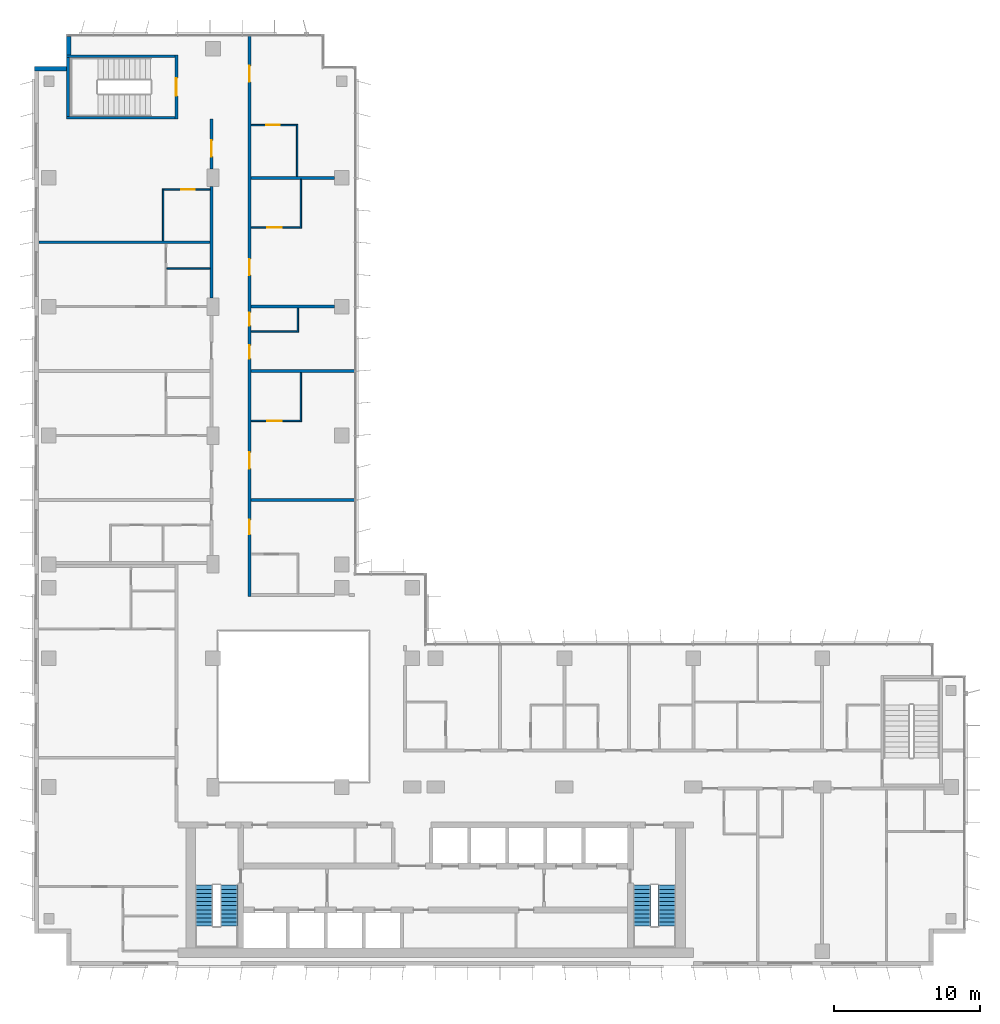
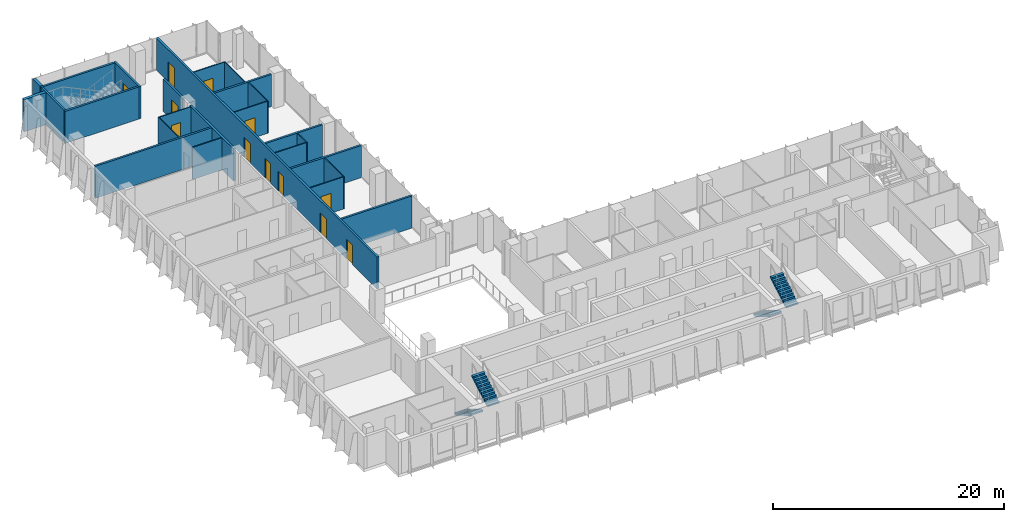
# One storey, part 17 of 21: 25 walls, 12 doors, 4 stair flights, 12 openings, 2 elements without a shape of their own.
"""IFC4 building model written with IfcOpenShell, lengths in metres."""

from ifc_helpers import new_model, si_unit, direction, frame, frame_2d, origin, place, context, subcontext, project, spatial, polyline, rectangle, outline, extrude, material, layer, layer_set, type_object, element, fill, aggregate, save


model = new_model("IFC4")

# Units and contexts
model_context = context("Model", 3, precision=1e-05, world=origin(), true_north=direction((0.0, 1.0)))
body_context = subcontext(model_context, "Body", "Model", "MODEL_VIEW")
ifc_project = project(units=[si_unit("LENGTHUNIT", "METRE"), si_unit("AREAUNIT", "SQUARE_METRE"), si_unit("VOLUMEUNIT", "CUBIC_METRE"), si_unit("PLANEANGLEUNIT", "RADIAN"), si_unit("MASSUNIT", "GRAM", prefix="KILO")], contexts=[model_context])

# Site, building, storey
site_placement = place(None, origin())
site = spatial("IfcSite", under=ifc_project, at=site_placement, CompositionType="ELEMENT")
building_placement = place(site_placement, origin())
building = spatial("IfcBuilding", under=site, at=building_placement, Name="Kemantara Hotel Tower", CompositionType="ELEMENT")
storey_placement = place(building_placement, frame((0.0, 0.0, 211.699951171875)))
storey = spatial("IfcBuildingStorey", under=building, at=storey_placement, Name="L52", CompositionType="ELEMENT", Elevation=211.699951171875)

# Walls
ifc_material_1 = material(Name="Bronze anodised aluminium cladding on insulated steel stud wall", Category="steel")
ifc_layer_1 = layer(ifc_material_1, 0.300048828125)
ifc_layer_set_1 = layer_set([ifc_layer_1], Name="Bronze anodised aluminium cladding on insulated steel stud wall")
wall_type_1 = type_object("IfcWallType", Name="BRONZE METAL-CLAD EXTERNAL WALL 300", PredefinedType="STANDARD", material=ifc_layer_set_1)
wall_1_placement = place(storey_placement, frame((2.35009765625, 63.449951171875, 0.0), z_axis=(0.0, 0.0, 1.0), x_axis=(0.0, -1.0, 0.0)))
element("IfcWall", 1, at=wall_1_placement, inside=storey, type_object=wall_type_1, Name="EXTERNAL WALL L52 T3-R03", PredefinedType="STANDARD", context=body_context, shape_type="SweptSolid", body=[
    extrude(rectangle(XDim=1.25, YDim=0.300048828125, at=frame_2d((0.625, 0.0))), origin(), (0.0, 0.0, 1.0), 3.400146484375),
])
wall_2_placement = place(storey_placement, frame((2.199951171875, 61.25, 0.0), z_axis=(0.0, 0.0, 1.0), x_axis=(-1.0, 0.0, 0.0)))
element("IfcWall", 2, at=wall_2_placement, inside=storey, type_object=wall_type_1, Name="EXTERNAL WALL L52 T3-R04", PredefinedType="STANDARD", context=body_context, shape_type="SweptSolid", body=[
    extrude(rectangle(XDim=2.199951171875, YDim=0.300048828125, at=frame_2d((1.10009765625, 0.0))), origin(), (0.0, 0.0, 1.0), 3.400146484375),
])
ifc_material_2 = material(Name="Gypsum board partition, steel studs and mineral wool, 200 mm", Category="steel")
ifc_layer_2 = layer(ifc_material_2, 0.199951171875)
ifc_layer_set_2 = layer_set([ifc_layer_2], Name="Gypsum board partition, steel studs and mineral wool, 200 mm")
wall_type_2 = type_object("IfcWallType", Name="CORRIDOR WALL 200", PredefinedType="PARTITIONING", material=ifc_layer_set_2)
wall_3_placement = place(storey_placement, frame((12.10009765625, 45.60009765625, 0.0), z_axis=(0.0, 0.0, 1.0), x_axis=(0.0, 1.0, 0.0)))
element("IfcWall", 3, at=wall_3_placement, inside=storey, type_object=wall_type_2, Name="CORRIDOR WALL 200 019", PredefinedType="PARTITIONING", context=body_context, shape_type="SweptSolid", body=[
    extrude(rectangle(XDim=7.599853515625, YDim=0.199951171875, at=frame_2d((3.7998046875, 0.0))), origin(), (0.0, 0.0, 1.0), 3.400146484375),
])

# Wall, opening, door
wall_4_placement = place(storey_placement, frame((12.10009765625, 54.400146484375, 0.0), z_axis=(0.0, 0.0, 1.0), x_axis=(0.0, 1.0, 0.0)))
wall_4 = element("IfcWall", 4, at=wall_4_placement, inside=storey, type_object=wall_type_2, Name="CORRIDOR WALL 200 020", PredefinedType="PARTITIONING", context=body_context, shape_type="SweptSolid", body=[
    extrude(rectangle(XDim=3.39990234375, YDim=0.199951171875, at=frame_2d((1.699951171875, 0.0))), origin(), (0.0, 0.0, 1.0), 3.400146484375),
])
opening_1_placement = place(wall_4_placement, frame((0.849853515625, 0.0, 0.0)))
opening_1 = element("IfcOpeningElement", 5, at=opening_1_placement, cuts=wall_4, Name="Opening F25-042", PredefinedType="OPENING", context=body_context, shape_type="SweptSolid", body=[
    extrude(rectangle(XDim=1.10009765625, YDim=2.10009765625, at=frame_2d((0.550048828125, 1.050048828125))), frame((0.0, 0.10986328125, 0.0), z_axis=(0.0, -1.0, 0.0), x_axis=(1.0, 0.0, 0.0)), (0.0, 0.0, 1.0), 0.219970703125),
])
ifc_material_3 = material(Name="Hardwood veneer door leaf with steel frame", Category="steel")
door_type_1 = type_object("IfcDoorType", Name="SUITE ENTRANCE DOOR 1100 X 2100 FD30S", OperationType="NOTDEFINED", PredefinedType="DOOR", material=ifc_material_3)
door_1_placement = place(opening_1_placement, origin())
door_1 = element("IfcDoor", 6, at=door_1_placement, inside=storey, type_object=door_type_1, Name="SUITE ENTRANCE DOOR F25-042", OperationType="SINGLE_SWING_RIGHT", OverallHeight=2.10009765625, OverallWidth=1.10009765625, PredefinedType="DOOR", context=body_context, shape_type="SweptSolid", body=[
    extrude(rectangle(XDim=1.10009765625, YDim=2.10009765625, at=frame_2d((0.550048828125, 1.050048828125))), frame((0.0, 0.02490234375, 0.0), z_axis=(0.0, -1.0, 0.0), x_axis=(1.0, 0.0, 0.0)), (0.0, 0.0, 1.0), 0.050048828125),
])
fill(opening_1, door_1)

# Wall, openings, doors
wall_5_placement = place(storey_placement, frame((14.699951171875, 63.47998046875, 0.0), z_axis=(0.0, 0.0, 1.0), x_axis=(0.0, -1.0, 0.0)))
wall_5 = element("IfcWall", 7, at=wall_5_placement, inside=storey, type_object=wall_type_2, Name="CORRIDOR WALL 200 027", PredefinedType="PARTITIONING", context=body_context, shape_type="SweptSolid", body=[
    extrude(rectangle(XDim=38.280029296875, YDim=0.199951171875, at=frame_2d((19.14013671875, 0.0))), origin(), (0.0, 0.0, 1.0), 3.400146484375),
])
opening_2_placement = place(wall_5_placement, frame((33.02978515625, 0.0, 0.0)))
opening_2 = element("IfcOpeningElement", 8, at=opening_2_placement, cuts=wall_5, Name="Opening F25-044", PredefinedType="OPENING", context=body_context, shape_type="SweptSolid", body=[
    extrude(rectangle(XDim=1.0, YDim=2.10009765625, at=frame_2d((0.5, 1.050048828125))), frame((0.0, 0.10986328125, 0.0), z_axis=(0.0, -1.0, 0.0), x_axis=(1.0, 0.0, 0.0)), (0.0, 0.0, 1.0), 0.219970703125),
])
opening_3_placement = place(wall_5_placement, frame((28.429931640625, 0.0, 0.0)))
opening_3 = element("IfcOpeningElement", 9, at=opening_3_placement, cuts=wall_5, Name="Opening F25-046", PredefinedType="OPENING", context=body_context, shape_type="SweptSolid", body=[
    extrude(rectangle(XDim=1.10009765625, YDim=2.10009765625, at=frame_2d((0.550048828125, 1.050048828125))), frame((0.0, 0.10986328125, 0.0), z_axis=(0.0, -1.0, 0.0), x_axis=(1.0, 0.0, 0.0)), (0.0, 0.0, 1.0), 0.219970703125),
])
opening_4_placement = place(wall_5_placement, frame((21.1298828125, 0.0, 0.0)))
opening_4 = element("IfcOpeningElement", 10, at=opening_4_placement, cuts=wall_5, Name="Opening F25-048", PredefinedType="OPENING", context=body_context, shape_type="SweptSolid", body=[
    extrude(rectangle(XDim=0.89990234375, YDim=2.10009765625, at=frame_2d((0.449951171875, 1.050048828125))), frame((0.0, 0.10986328125, 0.0), z_axis=(0.0, -1.0, 0.0), x_axis=(1.0, 0.0, 0.0)), (0.0, 0.0, 1.0), 0.219970703125),
])
opening_5_placement = place(wall_5_placement, frame((18.8798828125, 0.0, 0.0)))
opening_5 = element("IfcOpeningElement", 11, at=opening_5_placement, cuts=wall_5, Name="Opening F25-049", PredefinedType="OPENING", context=body_context, shape_type="SweptSolid", body=[
    extrude(rectangle(XDim=0.89990234375, YDim=2.10009765625, at=frame_2d((0.449951171875, 1.050048828125))), frame((0.0, 0.10986328125, 0.0), z_axis=(0.0, -1.0, 0.0), x_axis=(1.0, 0.0, 0.0)), (0.0, 0.0, 1.0), 0.219970703125),
])
opening_6_placement = place(wall_5_placement, frame((15.22998046875, 0.0, 0.0)))
opening_6 = element("IfcOpeningElement", 12, at=opening_6_placement, cuts=wall_5, Name="Opening F25-050", PredefinedType="OPENING", context=body_context, shape_type="SweptSolid", body=[
    extrude(rectangle(XDim=1.10009765625, YDim=2.10009765625, at=frame_2d((0.550048828125, 1.050048828125))), frame((0.0, 0.10986328125, 0.0), z_axis=(0.0, -1.0, 0.0), x_axis=(1.0, 0.0, 0.0)), (0.0, 0.0, 1.0), 0.219970703125),
])
opening_7_placement = place(wall_5_placement, frame((2.02978515625, 0.0, 0.0)))
opening_7 = element("IfcOpeningElement", 13, at=opening_7_placement, cuts=wall_5, Name="Opening F25-052", PredefinedType="OPENING", context=body_context, shape_type="SweptSolid", body=[
    extrude(rectangle(XDim=1.10009765625, YDim=2.10009765625, at=frame_2d((0.550048828125, 1.050048828125))), frame((0.0, 0.10986328125, 0.0), z_axis=(0.0, -1.0, 0.0), x_axis=(1.0, 0.0, 0.0)), (0.0, 0.0, 1.0), 0.219970703125),
])
door_type_2 = type_object("IfcDoorType", Name="GUEST ROOM DOOR 1000 X 2100 FD30S", OperationType="NOTDEFINED", PredefinedType="DOOR", material=ifc_material_3)
door_2_placement = place(opening_2_placement, origin())
door_2 = element("IfcDoor", 14, at=door_2_placement, inside=storey, type_object=door_type_2, Name="GUEST ROOM DOOR F25-044", OperationType="SINGLE_SWING_LEFT", OverallHeight=2.10009765625, OverallWidth=1.0, PredefinedType="DOOR", context=body_context, shape_type="SweptSolid", body=[
    extrude(rectangle(XDim=1.0, YDim=2.10009765625, at=frame_2d((0.5, 1.050048828125))), frame((0.0, 0.02490234375, 0.0), z_axis=(0.0, -1.0, 0.0), x_axis=(1.0, 0.0, 0.0)), (0.0, 0.0, 1.0), 0.050048828125),
])
fill(opening_2, door_2)
door_type_3 = type_object("IfcDoorType", Name="GUEST ROOM DOOR 1100 X 2100 FD30S", OperationType="NOTDEFINED", PredefinedType="DOOR", material=ifc_material_3)
door_3_placement = place(opening_3_placement, origin())
door_3 = element("IfcDoor", 15, at=door_3_placement, inside=storey, type_object=door_type_3, Name="GUEST ROOM DOOR F25-046", OperationType="SINGLE_SWING_RIGHT", OverallHeight=2.10009765625, OverallWidth=1.10009765625, PredefinedType="DOOR", context=body_context, shape_type="SweptSolid", body=[
    extrude(rectangle(XDim=1.10009765625, YDim=2.10009765625, at=frame_2d((0.550048828125, 1.050048828125))), frame((0.0, 0.02490234375, 0.0), z_axis=(0.0, -1.0, 0.0), x_axis=(1.0, 0.0, 0.0)), (0.0, 0.0, 1.0), 0.050048828125),
])
fill(opening_3, door_3)
door_4_placement = place(opening_6_placement, origin())
door_4 = element("IfcDoor", 16, at=door_4_placement, inside=storey, type_object=door_type_3, Name="GUEST ROOM DOOR F25-050", OperationType="SINGLE_SWING_RIGHT", OverallHeight=2.10009765625, OverallWidth=1.10009765625, PredefinedType="DOOR", context=body_context, shape_type="SweptSolid", body=[
    extrude(rectangle(XDim=1.10009765625, YDim=2.10009765625, at=frame_2d((0.550048828125, 1.050048828125))), frame((0.0, 0.02490234375, 0.0), z_axis=(0.0, -1.0, 0.0), x_axis=(1.0, 0.0, 0.0)), (0.0, 0.0, 1.0), 0.050048828125),
])
fill(opening_6, door_4)
ifc_material_4 = material(Name="Steel door leaf with steel frame", Category="steel")
door_type_4 = type_object("IfcDoorType", Name="SERVICE ROOM DOOR 900 X 2100 FD60", OperationType="NOTDEFINED", PredefinedType="DOOR", material=ifc_material_4)
door_5_placement = place(opening_4_placement, origin())
door_5 = element("IfcDoor", 17, at=door_5_placement, inside=storey, type_object=door_type_4, Name="SERVICE ROOM DOOR F25-048", OperationType="SINGLE_SWING_RIGHT", OverallHeight=2.10009765625, OverallWidth=0.89990234375, PredefinedType="DOOR", context=body_context, shape_type="SweptSolid", body=[
    extrude(rectangle(XDim=0.89990234375, YDim=2.10009765625, at=frame_2d((0.449951171875, 1.050048828125))), frame((0.0, 0.02490234375, 0.0), z_axis=(0.0, -1.0, 0.0), x_axis=(1.0, 0.0, 0.0)), (0.0, 0.0, 1.0), 0.050048828125),
])
fill(opening_4, door_5)
door_6_placement = place(opening_5_placement, origin())
door_6 = element("IfcDoor", 18, at=door_6_placement, inside=storey, type_object=door_type_4, Name="SERVICE ROOM DOOR F25-049", OperationType="SINGLE_SWING_LEFT", OverallHeight=2.10009765625, OverallWidth=0.89990234375, PredefinedType="DOOR", context=body_context, shape_type="SweptSolid", body=[
    extrude(rectangle(XDim=0.89990234375, YDim=2.10009765625, at=frame_2d((0.449951171875, 1.050048828125))), frame((0.0, 0.02490234375, 0.0), z_axis=(0.0, -1.0, 0.0), x_axis=(1.0, 0.0, 0.0)), (0.0, 0.0, 1.0), 0.050048828125),
])
fill(opening_5, door_6)
door_7_placement = place(opening_7_placement, origin())
door_7 = element("IfcDoor", 19, at=door_7_placement, inside=storey, type_object=door_type_1, Name="SUITE ENTRANCE DOOR F25-052", OperationType="SINGLE_SWING_LEFT", OverallHeight=2.10009765625, OverallWidth=1.10009765625, PredefinedType="DOOR", context=body_context, shape_type="SweptSolid", body=[
    extrude(rectangle(XDim=1.10009765625, YDim=2.10009765625, at=frame_2d((0.550048828125, 1.050048828125))), frame((0.0, 0.02490234375, 0.0), z_axis=(0.0, -1.0, 0.0), x_axis=(1.0, 0.0, 0.0)), (0.0, 0.0, 1.0), 0.050048828125),
])
fill(opening_7, door_7)

# Wall, opening, door
ifc_material_5 = material(Name="Concrete fc 40 MPa", Category="concrete")
ifc_layer_3 = layer(ifc_material_5, 0.199951171875)
ifc_layer_set_3 = layer_set([ifc_layer_3], Name="Concrete fc 40 MPa")
wall_type_3 = type_object("IfcWallType", Name="Concrete stair wall 200 mm", PredefinedType="SHEAR", material=ifc_layer_set_3)
wall_6_placement = place(storey_placement, frame((9.699951171875, 57.800048828125, 0.0), z_axis=(0.0, 0.0, 1.0), x_axis=(0.0, 1.0, 0.0)))
wall_6 = element("IfcWall", 20, at=wall_6_placement, inside=storey, type_object=wall_type_3, Name="Stair ST4 enclosure wall with door", PredefinedType="SHEAR", context=body_context, shape_type="SweptSolid", body=[
    extrude(rectangle(XDim=4.39990234375, YDim=0.199951171875, at=frame_2d((2.199951171875, 0.0))), origin(), (0.0, 0.0, 1.0), 3.400146484375),
])
opening_8_placement = place(wall_6_placement, frame((1.60009765625, 0.0, 0.0)))
opening_8 = element("IfcOpeningElement", 21, at=opening_8_placement, cuts=wall_6, Name="Opening ST4-C", PredefinedType="OPENING", context=body_context, shape_type="SweptSolid", body=[
    extrude(rectangle(XDim=1.199951171875, YDim=2.10009765625, at=frame_2d((0.60009765625, 1.050048828125))), frame((0.0, 0.10986328125, 0.0), z_axis=(0.0, -1.0, 0.0), x_axis=(1.0, 0.0, 0.0)), (0.0, 0.0, 1.0), 0.219970703125),
])
ifc_material_6 = material(Name="Steel fire door", Category="steel")
door_type_5 = type_object("IfcDoorType", Name="Fire door FD90 1200 x 2100", OperationType="NOTDEFINED", PredefinedType="DOOR", material=ifc_material_6)
door_8_placement = place(opening_8_placement, origin())
door_8 = element("IfcDoor", 22, at=door_8_placement, inside=storey, type_object=door_type_5, Name="Stair ST4 door", OperationType="SINGLE_SWING_RIGHT", OverallHeight=2.10009765625, OverallWidth=1.199951171875, PredefinedType="DOOR", context=body_context, shape_type="SweptSolid", body=[
    extrude(rectangle(XDim=1.199951171875, YDim=2.10009765625, at=frame_2d((0.60009765625, 1.050048828125))), frame((0.0, 0.02490234375, 0.0), z_axis=(0.0, -1.0, 0.0), x_axis=(1.0, 0.0, 0.0)), (0.0, 0.0, 1.0), 0.050048828125),
])
fill(opening_8, door_8)

# Walls
for number, where, z_axis, x_axis, name in (
    (23, (2.199951171875, 62.10009765625, 0.0), (0.0, 0.0, 1.0), (1.0, 0.0, 0.0), "Stair ST4 enclosure wall N"),
    (24, (2.199951171875, 57.89990234375, 0.0), (0.0, 0.0, 1.0), (1.0, 0.0, 0.0), "Stair ST4 enclosure wall S"),
):
    element("IfcWall", number, at=place(storey_placement, frame(where, z_axis=z_axis, x_axis=x_axis)), inside=storey, type_object=wall_type_3, Name=name, PredefinedType="SHEAR", context=body_context, shape_type="SweptSolid", body=[
        extrude(rectangle(XDim=7.400146484375, YDim=0.199951171875, at=frame_2d((3.7001953125, 0.0))), origin(), (0.0, 0.0, 1.0), 3.400146484375),
    ])
wall_7_placement = place(storey_placement, frame((2.300048828125, 58.0, 0.0), z_axis=(0.0, 0.0, 1.0), x_axis=(0.0, 1.0, 0.0)))
element("IfcWall", 25, at=wall_7_placement, inside=storey, type_object=wall_type_3, Name="Stair ST4 enclosure wall W", PredefinedType="SHEAR", context=body_context, shape_type="SweptSolid", body=[
    extrude(rectangle(XDim=4.0, YDim=0.199951171875, at=frame_2d((2.0, 0.0))), origin(), (0.0, 0.0, 1.0), 3.400146484375),
])
ifc_layer_4 = layer(ifc_material_2, 0.199951171875)
ifc_layer_set_4 = layer_set([ifc_layer_4], Name="Gypsum board partition, steel studs and mineral wool, 200 mm")
wall_type_4 = type_object("IfcWallType", Name="GUEST ROOM PARTY WALL 200", PredefinedType="PARTITIONING", material=ifc_layer_set_4)
for number, where, z_axis, x_axis, name in (
    (26, (14.800048828125, 31.800048828125, 0.0), (0.0, 0.0, 1.0), (1.0, 0.0, 0.0), "GUEST ROOM PARTY WALL 200 023"),
    (27, (14.800048828125, 40.60009765625, 0.0), (0.0, 0.0, 1.0), (1.0, 0.0, 0.0), "GUEST ROOM PARTY WALL 200 025"),
):
    element("IfcWall", number, at=place(storey_placement, frame(where, z_axis=z_axis, x_axis=x_axis)), inside=storey, type_object=wall_type_4, Name=name, PredefinedType="PARTITIONING", context=body_context, shape_type="SweptSolid", body=[
        extrude(rectangle(XDim=7.070068359375, YDim=0.199951171875, at=frame_2d((3.53515625, 0.0))), origin(), (0.0, 0.0, 1.0), 3.400146484375),
    ])
wall_8_placement = place(storey_placement, frame((0.31005859375, 49.39990234375, 0.0), z_axis=(0.0, 0.0, 1.0), x_axis=(1.0, 0.0, 0.0)))
element("IfcWall", 28, at=wall_8_placement, inside=storey, type_object=wall_type_4, Name="GUEST ROOM PARTY WALL 200 026", PredefinedType="PARTITIONING", context=body_context, shape_type="SweptSolid", body=[
    extrude(rectangle(XDim=11.68994140625, YDim=0.199951171875, at=frame_2d((5.844970703125, 0.0))), origin(), (0.0, 0.0, 1.0), 3.400146484375),
])
for number, where, z_axis, x_axis, name in (
    (29, (14.800048828125, 45.0, 0.0), (0.0, 0.0, 1.0), (1.0, 0.0, 0.0), "GUEST ROOM PARTY WALL 200 030"),
    (30, (14.800048828125, 53.800048828125, 0.0), (0.0, 0.0, 1.0), (1.0, 0.0, 0.0), "GUEST ROOM PARTY WALL 200 031"),
):
    element("IfcWall", number, at=place(storey_placement, frame(where, z_axis=z_axis, x_axis=x_axis)), inside=storey, type_object=wall_type_4, Name=name, PredefinedType="PARTITIONING", context=body_context, shape_type="SweptSolid", body=[
        extrude(rectangle(XDim=5.699951171875, YDim=0.199951171875, at=frame_2d((2.85009765625, 0.0))), origin(), (0.0, 0.0, 1.0), 3.400146484375),
    ])
ifc_material_7 = material(Name="Gypsum board partition on steel studs, 100 mm", Category="steel")
ifc_layer_5 = layer(ifc_material_7, 0.10009765625)
ifc_layer_set_5 = layer_set([ifc_layer_5], Name="Gypsum board partition on steel studs, 100 mm")
wall_type_5 = type_object("IfcWallType", Name="ROOM PARTITION 100", PredefinedType="PARTITIONING", material=ifc_layer_set_5)
wall_9_placement = place(storey_placement, frame((8.800048828125, 49.5, 0.0), z_axis=(0.0, 0.0, 1.0), x_axis=(0.0, 1.0, 0.0)))
element("IfcWall", 31, at=wall_9_placement, inside=storey, type_object=wall_type_5, Name="ROOM PARTITION 100 061", PredefinedType="PARTITIONING", context=body_context, shape_type="SweptSolid", body=[
    extrude(rectangle(XDim=3.550048828125, YDim=0.10009765625, at=frame_2d((1.77490234375, 0.0))), origin(), (0.0, 0.0, 1.0), 3.400146484375),
])
wall_10_placement = place(storey_placement, frame((9.050048828125, 47.60009765625, 0.0), z_axis=(0.0, 0.0, 1.0), x_axis=(1.0, 0.0, 0.0)))
element("IfcWall", 32, at=wall_10_placement, inside=storey, type_object=wall_type_5, Name="ROOM PARTITION 100 068", PredefinedType="PARTITIONING", context=body_context, shape_type="SweptSolid", body=[
    extrude(rectangle(XDim=2.949951171875, YDim=0.10009765625, at=frame_2d((1.47509765625, 0.0))), origin(), (0.0, 0.0, 1.0), 3.400146484375),
])

# Wall, opening, door
wall_11_placement = place(storey_placement, frame((12.0, 53.0, 0.0), z_axis=(0.0, 0.0, 1.0), x_axis=(-1.0, 0.0, 0.0)))
wall_11 = element("IfcWall", 33, at=wall_11_placement, inside=storey, type_object=wall_type_5, Name="ROOM PARTITION 100 069", PredefinedType="PARTITIONING", context=body_context, shape_type="SweptSolid", body=[
    extrude(rectangle(XDim=3.14990234375, YDim=0.10009765625, at=frame_2d((1.574951171875, 0.0))), origin(), (0.0, 0.0, 1.0), 3.400146484375),
])
opening_9_placement = place(wall_11_placement, frame((1.050048828125, 0.0, 0.0)))
opening_9 = element("IfcOpeningElement", 34, at=opening_9_placement, cuts=wall_11, Name="Opening F25-043", PredefinedType="OPENING", context=body_context, shape_type="SweptSolid", body=[
    extrude(rectangle(XDim=0.89990234375, YDim=2.10009765625, at=frame_2d((0.449951171875, 1.050048828125))), frame((0.0, 0.06005859375, 0.0), z_axis=(0.0, -1.0, 0.0), x_axis=(1.0, 0.0, 0.0)), (0.0, 0.0, 1.0), 0.1201171875),
])
door_type_6 = type_object("IfcDoorType", Name="BATHROOM DOOR 900 X 2100", OperationType="NOTDEFINED", PredefinedType="DOOR", material=ifc_material_3)
door_9_placement = place(opening_9_placement, origin())
door_9 = element("IfcDoor", 35, at=door_9_placement, inside=storey, type_object=door_type_6, Name="BATHROOM DOOR F25-043", OperationType="SINGLE_SWING_LEFT", OverallHeight=2.10009765625, OverallWidth=0.89990234375, PredefinedType="DOOR", context=body_context, shape_type="SweptSolid", body=[
    extrude(rectangle(XDim=0.89990234375, YDim=2.10009765625, at=frame_2d((0.449951171875, 1.050048828125))), frame((0.0, 0.02490234375, 0.0), z_axis=(0.0, -1.0, 0.0), x_axis=(1.0, 0.0, 0.0)), (0.0, 0.0, 1.0), 0.050048828125),
])
fill(opening_9, door_9)

# Walls
wall_12_placement = place(storey_placement, frame((18.0, 43.25, 0.0), z_axis=(0.0, 0.0, 1.0), x_axis=(0.0, 1.0, 0.0)))
element("IfcWall", 36, at=wall_12_placement, inside=storey, type_object=wall_type_5, Name="ROOM PARTITION 100 071", PredefinedType="PARTITIONING", context=body_context, shape_type="SweptSolid", body=[
    extrude(rectangle(XDim=1.64990234375, YDim=0.10009765625, at=frame_2d((0.824951171875, 0.0))), origin(), (0.0, 0.0, 1.0), 3.400146484375),
])
wall_13_placement = place(storey_placement, frame((18.199951171875, 37.14990234375, 0.0), z_axis=(0.0, 0.0, 1.0), x_axis=(0.0, 1.0, 0.0)))
element("IfcWall", 37, at=wall_13_placement, inside=storey, type_object=wall_type_5, Name="ROOM PARTITION 100 073", PredefinedType="PARTITIONING", context=body_context, shape_type="SweptSolid", body=[
    extrude(rectangle(XDim=3.35009765625, YDim=0.10009765625, at=frame_2d((1.675048828125, 0.0))), origin(), (0.0, 0.0, 1.0), 3.400146484375),
])
wall_14_placement = place(storey_placement, frame((18.199951171875, 50.35009765625, 0.0), z_axis=(0.0, 0.0, 1.0), x_axis=(0.0, 1.0, 0.0)))
element("IfcWall", 38, at=wall_14_placement, inside=storey, type_object=wall_type_5, Name="ROOM PARTITION 100 074", PredefinedType="PARTITIONING", context=body_context, shape_type="SweptSolid", body=[
    extrude(rectangle(XDim=3.349853515625, YDim=0.10009765625, at=frame_2d((1.6748046875, 0.0))), origin(), (0.0, 0.0, 1.0), 3.400146484375),
])

# Wall, opening, door
wall_15_placement = place(storey_placement, frame((14.800048828125, 37.199951171875, 0.0), z_axis=(0.0, 0.0, 1.0), x_axis=(1.0, 0.0, 0.0)))
wall_15 = element("IfcWall", 39, at=wall_15_placement, inside=storey, type_object=wall_type_5, Name="ROOM PARTITION 100 075", PredefinedType="PARTITIONING", context=body_context, shape_type="SweptSolid", body=[
    extrude(rectangle(XDim=3.349853515625, YDim=0.10009765625, at=frame_2d((1.6748046875, 0.0))), origin(), (0.0, 0.0, 1.0), 3.400146484375),
])
opening_10_placement = place(wall_15_placement, frame((1.10009765625, 0.0, 0.0)))
opening_10 = element("IfcOpeningElement", 40, at=opening_10_placement, cuts=wall_15, Name="Opening F25-047", PredefinedType="OPENING", context=body_context, shape_type="SweptSolid", body=[
    extrude(rectangle(XDim=1.0, YDim=2.10009765625, at=frame_2d((0.5, 1.050048828125))), frame((0.0, 0.06005859375, 0.0), z_axis=(0.0, -1.0, 0.0), x_axis=(1.0, 0.0, 0.0)), (0.0, 0.0, 1.0), 0.1201171875),
])
door_type_7 = type_object("IfcDoorType", Name="BATHROOM DOOR 1000 X 2100", OperationType="NOTDEFINED", PredefinedType="DOOR", material=ifc_material_3)
door_10_placement = place(opening_10_placement, origin())
door_10 = element("IfcDoor", 41, at=door_10_placement, inside=storey, type_object=door_type_7, Name="BATHROOM DOOR F25-047", OperationType="SINGLE_SWING_LEFT", OverallHeight=2.10009765625, OverallWidth=1.0, PredefinedType="DOOR", context=body_context, shape_type="SweptSolid", body=[
    extrude(rectangle(XDim=1.0, YDim=2.10009765625, at=frame_2d((0.5, 1.050048828125))), frame((0.0, 0.02490234375, 0.0), z_axis=(0.0, -1.0, 0.0), x_axis=(1.0, 0.0, 0.0)), (0.0, 0.0, 1.0), 0.050048828125),
])
fill(opening_10, door_10)

# Wall
wall_16_placement = place(storey_placement, frame((14.800048828125, 43.300048828125, 0.0), z_axis=(0.0, 0.0, 1.0), x_axis=(1.0, 0.0, 0.0)))
element("IfcWall", 42, at=wall_16_placement, inside=storey, type_object=wall_type_5, Name="ROOM PARTITION 100 076", PredefinedType="PARTITIONING", context=body_context, shape_type="SweptSolid", body=[
    extrude(rectangle(XDim=3.14990234375, YDim=0.10009765625, at=frame_2d((1.574951171875, 0.0))), origin(), (0.0, 0.0, 1.0), 3.400146484375),
])

# Wall, opening, door
wall_17_placement = place(storey_placement, frame((14.800048828125, 50.39990234375, 0.0), z_axis=(0.0, 0.0, 1.0), x_axis=(1.0, 0.0, 0.0)))
wall_17 = element("IfcWall", 43, at=wall_17_placement, inside=storey, type_object=wall_type_5, Name="ROOM PARTITION 100 077", PredefinedType="PARTITIONING", context=body_context, shape_type="SweptSolid", body=[
    extrude(rectangle(XDim=3.349853515625, YDim=0.10009765625, at=frame_2d((1.6748046875, 0.0))), origin(), (0.0, 0.0, 1.0), 3.400146484375),
])
opening_11_placement = place(wall_17_placement, frame((1.10009765625, 0.0, 0.0)))
opening_11 = element("IfcOpeningElement", 44, at=opening_11_placement, cuts=wall_17, Name="Opening F25-051", PredefinedType="OPENING", context=body_context, shape_type="SweptSolid", body=[
    extrude(rectangle(XDim=1.0, YDim=2.10009765625, at=frame_2d((0.5, 1.050048828125))), frame((0.0, 0.06005859375, 0.0), z_axis=(0.0, -1.0, 0.0), x_axis=(1.0, 0.0, 0.0)), (0.0, 0.0, 1.0), 0.1201171875),
])
door_11_placement = place(opening_11_placement, origin())
door_11 = element("IfcDoor", 45, at=door_11_placement, inside=storey, type_object=door_type_7, Name="BATHROOM DOOR F25-051", OperationType="SINGLE_SWING_LEFT", OverallHeight=2.10009765625, OverallWidth=1.0, PredefinedType="DOOR", context=body_context, shape_type="SweptSolid", body=[
    extrude(rectangle(XDim=1.0, YDim=2.10009765625, at=frame_2d((0.5, 1.050048828125))), frame((0.0, 0.02490234375, 0.0), z_axis=(0.0, -1.0, 0.0), x_axis=(1.0, 0.0, 0.0)), (0.0, 0.0, 1.0), 0.050048828125),
])
fill(opening_11, door_11)

# Wall
wall_18_placement = place(storey_placement, frame((17.949951171875, 53.89990234375, 0.0), z_axis=(0.0, 0.0, 1.0), x_axis=(0.0, 1.0, 0.0)))
element("IfcWall", 46, at=wall_18_placement, inside=storey, type_object=wall_type_5, Name="ROOM PARTITION 100 078", PredefinedType="PARTITIONING", context=body_context, shape_type="SweptSolid", body=[
    extrude(rectangle(XDim=3.550048828125, YDim=0.10009765625, at=frame_2d((1.77490234375, 0.0))), origin(), (0.0, 0.0, 1.0), 3.400146484375),
])

# Wall, opening, door
wall_19_placement = place(storey_placement, frame((17.89990234375, 57.39990234375, 0.0), z_axis=(0.0, 0.0, 1.0), x_axis=(-1.0, 0.0, 0.0)))
wall_19 = element("IfcWall", 47, at=wall_19_placement, inside=storey, type_object=wall_type_5, Name="ROOM PARTITION 100 079", PredefinedType="PARTITIONING", context=body_context, shape_type="SweptSolid", body=[
    extrude(rectangle(XDim=3.099853515625, YDim=0.10009765625, at=frame_2d((1.5498046875, 0.0))), origin(), (0.0, 0.0, 1.0), 3.400146484375),
])
opening_12_placement = place(wall_19_placement, frame((1.14990234375, 0.0, 0.0)))
opening_12 = element("IfcOpeningElement", 48, at=opening_12_placement, cuts=wall_19, Name="Opening F25-053", PredefinedType="OPENING", context=body_context, shape_type="SweptSolid", body=[
    extrude(rectangle(XDim=0.89990234375, YDim=2.10009765625, at=frame_2d((0.449951171875, 1.050048828125))), frame((0.0, 0.06005859375, 0.0), z_axis=(0.0, -1.0, 0.0), x_axis=(1.0, 0.0, 0.0)), (0.0, 0.0, 1.0), 0.1201171875),
])
door_12_placement = place(opening_12_placement, origin())
door_12 = element("IfcDoor", 49, at=door_12_placement, inside=storey, type_object=door_type_6, Name="BATHROOM DOOR F25-053", OperationType="SINGLE_SWING_RIGHT", OverallHeight=2.10009765625, OverallWidth=0.89990234375, PredefinedType="DOOR", context=body_context, shape_type="SweptSolid", body=[
    extrude(rectangle(XDim=0.89990234375, YDim=2.10009765625, at=frame_2d((0.449951171875, 1.050048828125))), frame((0.0, 0.02490234375, 0.0), z_axis=(0.0, -1.0, 0.0), x_axis=(1.0, 0.0, 0.0)), (0.0, 0.0, 1.0), 0.050048828125),
])
fill(opening_12, door_12)

# Stair, stair flights
stair_type = type_object("IfcStairType", Name="Stair 1200 wide 22 risers of 168 x 280 mm", PredefinedType="HALF_TURN_STAIR", material=ifc_material_5)
stair_1_placement = place(storey_placement, origin())
stair_1 = element("IfcStair", 50, at=stair_1_placement, inside=storey, type_object=stair_type, Name="L52 Exit stair ST1", PredefinedType="HALF_TURN_STAIR")
stair_flight_type = type_object("IfcStairFlightType", Name="Stair flight 1200 wide 168 x 280 mm", PredefinedType="STRAIGHT", material=ifc_material_5)
stair_flight_1_placement = place(storey_placement, frame((11.60009765625, 5.5, 0.0), z_axis=(0.0, 0.0, 1.0), x_axis=(0.0, -1.0, 0.0)))
stair_flight_1 = element("IfcStairFlight", 51, at=stair_flight_1_placement, type_object=stair_flight_type, Name="ST1 flight 1", NumberOfRisers=11, NumberOfTreads=10, PredefinedType="STRAIGHT", RiserHeight=0.168181818, TreadLength=0.28, context=body_context, shape_type="SweptSolid", body=[
    extrude(outline(polyline([(0.0, 0.0), (0.0, 0.168212890625), (0.280029296875, 0.168212890625), (0.280029296875, 0.33642578125), (0.56005859375, 0.33642578125), (0.56005859375, 0.504638671875), (0.840087890625, 0.504638671875), (0.840087890625, 0.672607421875), (1.1201171875, 0.672607421875), (1.1201171875, 0.8408203125), (1.39990234375, 0.8408203125), (1.39990234375, 1.009033203125), (1.679931640625, 1.009033203125), (1.679931640625, 1.17724609375), (1.9599609375, 1.17724609375), (1.9599609375, 1.345458984375), (2.239990234375, 1.345458984375), (2.239990234375, 1.513671875), (2.52001953125, 1.513671875), (2.52001953125, 1.681884765625), (2.800048828125, 1.681884765625), (2.800048828125, 1.85009765625), (2.800048828125, 1.5068359375), (0.291015625, 0.0), (0.0, 0.0)])), frame((0.0, 0.60009765625, 0.0), z_axis=(0.0, -1.0, 0.0), x_axis=(1.0, 0.0, 0.0)), (0.0, 0.0, 1.0), 1.199951171875),
])
stair_flight_2_placement = place(storey_placement, frame((13.300048828125, 2.699951171875, 1.85009765625), z_axis=(0.0, 0.0, 1.0), x_axis=(0.0, 1.0, 0.0)))
stair_flight_2 = element("IfcStairFlight", 52, at=stair_flight_2_placement, type_object=stair_flight_type, Name="ST1 flight 2", NumberOfRisers=11, NumberOfTreads=10, PredefinedType="STRAIGHT", RiserHeight=0.168181818, TreadLength=0.28, context=body_context, shape_type="SweptSolid", body=[
    extrude(outline(polyline([(0.0, 0.0), (0.0, 0.168212890625), (0.280029296875, 0.168212890625), (0.280029296875, 0.33642578125), (0.56005859375, 0.33642578125), (0.56005859375, 0.504638671875), (0.840087890625, 0.504638671875), (0.840087890625, 0.672607421875), (1.1201171875, 0.672607421875), (1.1201171875, 0.8408203125), (1.39990234375, 0.8408203125), (1.39990234375, 1.009033203125), (1.679931640625, 1.009033203125), (1.679931640625, 1.17724609375), (1.9599609375, 1.17724609375), (1.9599609375, 1.345458984375), (2.239990234375, 1.345458984375), (2.239990234375, 1.513671875), (2.52001953125, 1.513671875), (2.52001953125, 1.681884765625), (2.800048828125, 1.681884765625), (2.800048828125, 1.85009765625), (2.800048828125, 1.5068359375), (0.291015625, 0.0), (0.0, 0.0)])), frame((0.0, 0.60009765625, 0.0), z_axis=(0.0, -1.0, 0.0), x_axis=(1.0, 0.0, 0.0)), (0.0, 0.0, 1.0), 1.199951171875),
])
aggregate(stair_1, [stair_flight_1, stair_flight_2])

stair_2_placement = place(storey_placement, origin())
stair_2 = element("IfcStair", 53, at=stair_2_placement, inside=storey, type_object=stair_type, Name="L52 Exit stair ST2", PredefinedType="HALF_TURN_STAIR")
stair_flight_3_placement = place(storey_placement, frame((41.5, 5.5, 0.0), z_axis=(0.0, 0.0, 1.0), x_axis=(0.0, -1.0, 0.0)))
stair_flight_3 = element("IfcStairFlight", 54, at=stair_flight_3_placement, type_object=stair_flight_type, Name="ST2 flight 1", NumberOfRisers=11, NumberOfTreads=10, PredefinedType="STRAIGHT", RiserHeight=0.168181818, TreadLength=0.28, context=body_context, shape_type="SweptSolid", body=[
    extrude(outline(polyline([(0.0, 0.0), (0.0, 0.168212890625), (0.280029296875, 0.168212890625), (0.280029296875, 0.33642578125), (0.56005859375, 0.33642578125), (0.56005859375, 0.504638671875), (0.840087890625, 0.504638671875), (0.840087890625, 0.672607421875), (1.1201171875, 0.672607421875), (1.1201171875, 0.8408203125), (1.39990234375, 0.8408203125), (1.39990234375, 1.009033203125), (1.679931640625, 1.009033203125), (1.679931640625, 1.17724609375), (1.9599609375, 1.17724609375), (1.9599609375, 1.345458984375), (2.239990234375, 1.345458984375), (2.239990234375, 1.513671875), (2.52001953125, 1.513671875), (2.52001953125, 1.681884765625), (2.800048828125, 1.681884765625), (2.800048828125, 1.85009765625), (2.800048828125, 1.5068359375), (0.291015625, 0.0), (0.0, 0.0)])), frame((0.0, 0.60009765625, 0.0), z_axis=(0.0, -1.0, 0.0), x_axis=(1.0, 0.0, 0.0)), (0.0, 0.0, 1.0), 1.199951171875),
])
stair_flight_4_placement = place(storey_placement, frame((43.199951171875, 2.699951171875, 1.85009765625), z_axis=(0.0, 0.0, 1.0), x_axis=(0.0, 1.0, 0.0)))
stair_flight_4 = element("IfcStairFlight", 55, at=stair_flight_4_placement, type_object=stair_flight_type, Name="ST2 flight 2", NumberOfRisers=11, NumberOfTreads=10, PredefinedType="STRAIGHT", RiserHeight=0.168181818, TreadLength=0.28, context=body_context, shape_type="SweptSolid", body=[
    extrude(outline(polyline([(0.0, 0.0), (0.0, 0.168212890625), (0.280029296875, 0.168212890625), (0.280029296875, 0.33642578125), (0.56005859375, 0.33642578125), (0.56005859375, 0.504638671875), (0.840087890625, 0.504638671875), (0.840087890625, 0.672607421875), (1.1201171875, 0.672607421875), (1.1201171875, 0.8408203125), (1.39990234375, 0.8408203125), (1.39990234375, 1.009033203125), (1.679931640625, 1.009033203125), (1.679931640625, 1.17724609375), (1.9599609375, 1.17724609375), (1.9599609375, 1.345458984375), (2.239990234375, 1.345458984375), (2.239990234375, 1.513671875), (2.52001953125, 1.513671875), (2.52001953125, 1.681884765625), (2.800048828125, 1.681884765625), (2.800048828125, 1.85009765625), (2.800048828125, 1.5068359375), (0.291015625, 0.0), (0.0, 0.0)])), frame((0.0, 0.60009765625, 0.0), z_axis=(0.0, -1.0, 0.0), x_axis=(1.0, 0.0, 0.0)), (0.0, 0.0, 1.0), 1.199951171875),
])
aggregate(stair_2, [stair_flight_3, stair_flight_4])

save(model, "model.ifc")
